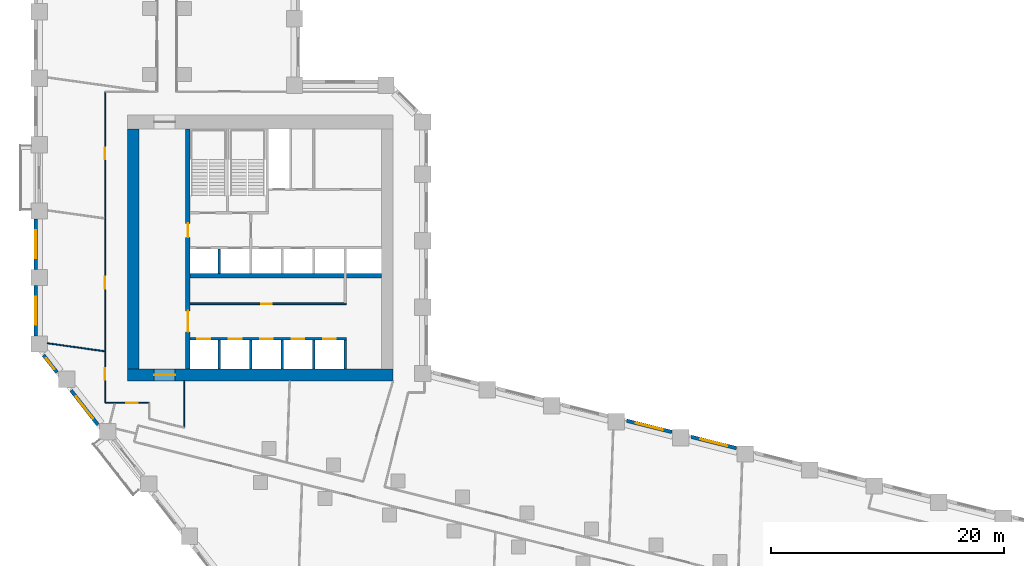
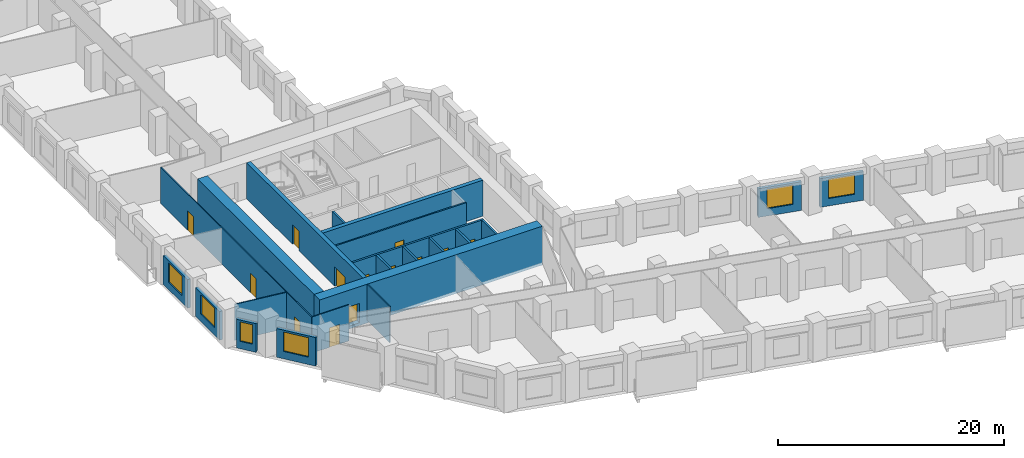
# One storey, part 4 of 11: 22 walls, 13 doors, 6 windows, 19 openings.
"""IFC4 building model written with IfcOpenShell, lengths in metres."""

from ifc_helpers import new_model, si_unit, direction, frame, frame_2d, origin, place, context, subcontext, project, spatial, rectangle, extrude, material, layer, layer_set, type_object, element, fill, save


model = new_model("IFC4")

# Units and contexts
model_context = context("Model", 3, precision=1e-05, world=origin(), true_north=direction((0.0, 1.0)))
body_context = subcontext(model_context, "Body", "Model", "MODEL_VIEW")
ifc_project = project(units=[si_unit("LENGTHUNIT", "METRE"), si_unit("AREAUNIT", "SQUARE_METRE"), si_unit("VOLUMEUNIT", "CUBIC_METRE"), si_unit("PLANEANGLEUNIT", "RADIAN"), si_unit("MASSUNIT", "GRAM", prefix="KILO")], contexts=[model_context])

# Site, building, storey
site_placement = place(None, origin())
site = spatial("IfcSite", under=ifc_project, at=site_placement, CompositionType="ELEMENT")
building_placement = place(site_placement, origin())
building = spatial("IfcBuilding", under=site, at=building_placement, Name="Meshkara Civic Tower", CompositionType="ELEMENT")
storey_placement = place(building_placement, frame((0.0, 0.0, 75.0)))
storey = spatial("IfcBuildingStorey", under=building, at=storey_placement, Name="L16", CompositionType="ELEMENT", Elevation=75.0)

# Wall, opening, door
ifc_material_1 = material(Name="Blockwork", Category="masonry")
ifc_layer_1 = layer(ifc_material_1, 0.14990234375)
ifc_layer_set_1 = layer_set([ifc_layer_1], Name="Core partition 150")
wall_type_1 = type_object("IfcWallType", Name="Core partition 150", PredefinedType="PARTITIONING", material=ifc_layer_set_1)
wall_1_placement = place(storey_placement, frame((13.39990234375, 20.699951171875, 0.0), z_axis=(0.0, 0.0, 1.0), x_axis=(1.0, 0.0, 0.0)))
wall_1 = element("IfcWall", 1, at=wall_1_placement, inside=storey, type_object=wall_type_1, Name="L16-C006", PredefinedType="PARTITIONING", context=body_context, shape_type="SweptSolid", body=[
    extrude(rectangle(XDim=13.400146484375, YDim=0.14990234375, at=frame_2d((6.7001953125, 0.0))), origin(), (0.0, 0.0, 1.0), 3.89990234375),
])
opening_1_placement = place(wall_1_placement, frame((6.10009765625, 0.0, 0.0)))
opening_1 = element("IfcOpeningElement", 2, at=opening_1_placement, cuts=wall_1, Name="Opening L16-K010", PredefinedType="OPENING", context=body_context, shape_type="SweptSolid", body=[
    extrude(rectangle(XDim=0.89990234375, YDim=2.10009765625, at=frame_2d((0.449951171875, 1.050048828125))), frame((0.0, 0.0849609375, 0.0), z_axis=(0.0, -1.0, 0.0), x_axis=(1.0, 0.0, 0.0)), (0.0, 0.0, 1.0), 0.169921875),
])
ifc_material_2 = material(Name="Timber door leaf in steel frame", Category="steel")
door_type_1 = type_object("IfcDoorType", Name="Core room door 900", OperationType="SINGLE_SWING_LEFT", PredefinedType="DOOR", material=ifc_material_2)
door_1_placement = place(opening_1_placement, origin())
door_1 = element("IfcDoor", 3, at=door_1_placement, inside=storey, type_object=door_type_1, Name="L16-K010", OperationType="SINGLE_SWING_RIGHT", OverallHeight=2.10009765625, OverallWidth=0.89990234375, PredefinedType="DOOR", context=body_context, shape_type="SweptSolid", body=[
    extrude(rectangle(XDim=0.89990234375, YDim=2.10009765625, at=frame_2d((0.449951171875, 1.050048828125))), frame((0.0, 0.02490234375, 0.0), z_axis=(0.0, -1.0, 0.0), x_axis=(1.0, 0.0, 0.0)), (0.0, 0.0, 1.0), 0.050048828125),
])
fill(opening_1, door_1)

ifc_material_3 = material(Name="Concrete C80", Category="concrete")
ifc_layer_2 = layer(ifc_material_3, 1.0)
ifc_layer_set_2 = layer_set([ifc_layer_2], Name="Core ring wall 1000 C80")
wall_type_2 = type_object("IfcWallType", Name="Core ring wall 1000 C80", PredefinedType="SHEAR", material=ifc_layer_set_2)
wall_2_placement = place(storey_placement, frame((8.0, 14.60009765625, -0.300048828125), z_axis=(0.0, 0.0, 1.0), x_axis=(1.0, 0.0, 0.0)))
wall_2 = element("IfcWall", 4, at=wall_2_placement, inside=storey, type_object=wall_type_2, Name="L16-C001", PredefinedType="SHEAR", context=body_context, shape_type="SweptSolid", body=[
    extrude(rectangle(XDim=22.800048828125, YDim=1.0, at=frame_2d((11.39990234375, 0.0))), origin(), (0.0, 0.0, 1.0), 4.199951171875),
])
opening_2_placement = place(wall_2_placement, frame((2.300048828125, 0.0, 0.300048828125)))
opening_2 = element("IfcOpeningElement", 5, at=opening_2_placement, cuts=wall_2, Name="Opening L16-K020", PredefinedType="OPENING", context=body_context, shape_type="SweptSolid", body=[
    extrude(rectangle(XDim=1.800048828125, YDim=2.10009765625, at=frame_2d((0.89990234375, 1.050048828125))), frame((0.0, 0.510009765625, 0.0), z_axis=(0.0, -1.0, 0.0), x_axis=(1.0, 0.0, 0.0)), (0.0, 0.0, 1.0), 1.02001953125),
])
ifc_material_4 = material(Name="Fire-rated door leaf in steel frame", Category="steel")
door_type_2 = type_object("IfcDoorType", Name="Core double door 1800 EI 60", OperationType="DOUBLE_DOOR_SINGLE_SWING", PredefinedType="DOOR", material=ifc_material_4)
door_2_placement = place(opening_2_placement, origin())
door_2 = element("IfcDoor", 6, at=door_2_placement, inside=storey, type_object=door_type_2, Name="L16-K020", OperationType="DOUBLE_DOOR_SINGLE_SWING", OverallHeight=2.10009765625, OverallWidth=1.800048828125, PredefinedType="DOOR", context=body_context, shape_type="SweptSolid", body=[
    extrude(rectangle(XDim=1.800048828125, YDim=2.10009765625, at=frame_2d((0.89990234375, 1.050048828125))), frame((0.0, 0.02490234375, 0.0), z_axis=(0.0, -1.0, 0.0), x_axis=(1.0, 0.0, 0.0)), (0.0, 0.0, 1.0), 0.050048828125),
])
fill(opening_2, door_2)

# Walls
wall_3_placement = place(storey_placement, frame((8.5, 15.10009765625, -0.300048828125), z_axis=(0.0, 0.0, 1.0), x_axis=(0.0, 1.0, 0.0)))
element("IfcWall", 7, at=wall_3_placement, inside=storey, type_object=wall_type_2, Name="L16-C003", PredefinedType="SHEAR", context=body_context, shape_type="SweptSolid", body=[
    extrude(rectangle(XDim=20.599853515625, YDim=1.0, at=frame_2d((10.2998046875, 0.0))), origin(), (0.0, 0.0, 1.0), 4.199951171875),
])
ifc_material_5 = material(Name="Concrete C80", Category="concrete")
ifc_layer_3 = layer(ifc_material_5, 0.39990234375)
ifc_layer_set_3 = layer_set([ifc_layer_3], Name="Core shear wall 400 C80")
wall_type_3 = type_object("IfcWallType", Name="Core shear wall 400 C80", PredefinedType="SHEAR", material=ifc_layer_set_3)
wall_4_placement = place(storey_placement, frame((13.39990234375, 23.10009765625, 0.0), z_axis=(0.0, 0.0, 1.0), x_axis=(1.0, 0.0, 0.0)))
element("IfcWall", 8, at=wall_4_placement, inside=storey, type_object=wall_type_3, Name="L16-C007", PredefinedType="SHEAR", context=body_context, shape_type="SweptSolid", body=[
    extrude(rectangle(XDim=16.400146484375, YDim=0.39990234375, at=frame_2d((8.2001953125, 0.0))), origin(), (0.0, 0.0, 1.0), 3.89990234375),
])

# Wall, openings, doors
wall_5_placement = place(storey_placement, frame((13.199951171875, 15.10009765625, 0.0), z_axis=(0.0, 0.0, 1.0), x_axis=(0.0, 1.0, 0.0)))
wall_5 = element("IfcWall", 9, at=wall_5_placement, inside=storey, type_object=wall_type_3, Name="L16-C011", PredefinedType="SHEAR", context=body_context, shape_type="SweptSolid", body=[
    extrude(rectangle(XDim=20.599853515625, YDim=0.39990234375, at=frame_2d((10.2998046875, 0.0))), origin(), (0.0, 0.0, 1.0), 3.89990234375),
])
opening_3_placement = place(wall_5_placement, frame((3.199951171875, 0.0, 0.0)))
opening_3 = element("IfcOpeningElement", 10, at=opening_3_placement, cuts=wall_5, Name="Opening L16-K016", PredefinedType="OPENING", context=body_context, shape_type="SweptSolid", body=[
    extrude(rectangle(XDim=1.800048828125, YDim=2.10009765625, at=frame_2d((0.89990234375, 1.050048828125))), frame((0.0, 0.2099609375, 0.0), z_axis=(0.0, -1.0, 0.0), x_axis=(1.0, 0.0, 0.0)), (0.0, 0.0, 1.0), 0.419921875),
])
opening_4_placement = place(wall_5_placement, frame((11.300048828125, 0.0, 0.0)))
opening_4 = element("IfcOpeningElement", 11, at=opening_4_placement, cuts=wall_5, Name="Opening L16-K017", PredefinedType="OPENING", context=body_context, shape_type="SweptSolid", body=[
    extrude(rectangle(XDim=1.199951171875, YDim=2.10009765625, at=frame_2d((0.60009765625, 1.050048828125))), frame((0.0, 0.2099609375, 0.0), z_axis=(0.0, -1.0, 0.0), x_axis=(1.0, 0.0, 0.0)), (0.0, 0.0, 1.0), 0.419921875),
])
door_3_placement = place(opening_3_placement, origin())
door_3 = element("IfcDoor", 12, at=door_3_placement, inside=storey, type_object=door_type_2, Name="L16-K016", OperationType="DOUBLE_DOOR_SINGLE_SWING", OverallHeight=2.10009765625, OverallWidth=1.800048828125, PredefinedType="DOOR", context=body_context, shape_type="SweptSolid", body=[
    extrude(rectangle(XDim=1.800048828125, YDim=2.10009765625, at=frame_2d((0.89990234375, 1.050048828125))), frame((0.0, 0.02490234375, 0.0), z_axis=(0.0, -1.0, 0.0), x_axis=(1.0, 0.0, 0.0)), (0.0, 0.0, 1.0), 0.050048828125),
])
fill(opening_3, door_3)
ifc_material_6 = material(Name="Fire-rated door leaf in steel frame", Category="steel")
door_type_3 = type_object("IfcDoorType", Name="Fire-fighting lobby door 1200 EI 120", OperationType="SINGLE_SWING_LEFT", PredefinedType="DOOR", material=ifc_material_6)
door_4_placement = place(opening_4_placement, origin())
door_4 = element("IfcDoor", 13, at=door_4_placement, inside=storey, type_object=door_type_3, Name="L16-K017", OperationType="SINGLE_SWING_LEFT", OverallHeight=2.10009765625, OverallWidth=1.199951171875, PredefinedType="DOOR", context=body_context, shape_type="SweptSolid", body=[
    extrude(rectangle(XDim=1.199951171875, YDim=2.10009765625, at=frame_2d((0.60009765625, 1.050048828125))), frame((0.0, 0.02490234375, 0.0), z_axis=(0.0, -1.0, 0.0), x_axis=(1.0, 0.0, 0.0)), (0.0, 0.0, 1.0), 0.050048828125),
])
fill(opening_4, door_4)

ifc_material_7 = material(Name="Corridor wall 100")
ifc_layer_4 = layer(ifc_material_7, 0.10009765625)
ifc_layer_set_4 = layer_set([ifc_layer_4], Name="Corridor wall 100")
wall_type_4 = type_object("IfcWallType", Name="Corridor wall 100", PredefinedType="PARTITIONING", material=ifc_layer_set_4)
wall_6_placement = place(storey_placement, frame((6.10009765625, 12.199951171875, 0.0), z_axis=(0.0, 0.0, 1.0), x_axis=(0.0, 1.0, 0.0)))
wall_6 = element("IfcWall", 14, at=wall_6_placement, inside=storey, type_object=wall_type_4, Name="L16-W004", PredefinedType="PARTITIONING", context=body_context, shape_type="SweptSolid", body=[
    extrude(rectangle(XDim=26.699951171875, YDim=0.10009765625, at=frame_2d((13.35009765625, 0.0))), origin(), (0.0, 0.0, 1.0), 3.89990234375),
])
opening_5_placement = place(wall_6_placement, frame((1.97998046875, 0.0, 0.0)))
opening_5 = element("IfcOpeningElement", 15, at=opening_5_placement, cuts=wall_6, Name="Opening L16-D016", PredefinedType="OPENING", context=body_context, shape_type="SweptSolid", body=[
    extrude(rectangle(XDim=1.0, YDim=2.10009765625, at=frame_2d((0.5, 1.050048828125))), frame((0.0, 0.06005859375, 0.0), z_axis=(0.0, -1.0, 0.0), x_axis=(1.0, 0.0, 0.0)), (0.0, 0.0, 1.0), 0.1201171875),
])
opening_6_placement = place(wall_6_placement, frame((9.802978515625, 0.0, 0.0)))
opening_6 = element("IfcOpeningElement", 16, at=opening_6_placement, cuts=wall_6, Name="Opening L16-D018", PredefinedType="OPENING", context=body_context, shape_type="SweptSolid", body=[
    extrude(rectangle(XDim=1.0, YDim=2.10009765625, at=frame_2d((0.5, 1.050048828125))), frame((0.0, 0.06005859375, 0.0), z_axis=(0.0, -1.0, 0.0), x_axis=(1.0, 0.0, 0.0)), (0.0, 0.0, 1.0), 0.1201171875),
])
opening_7_placement = place(wall_6_placement, frame((20.903076171875, 0.0, 0.0)))
opening_7 = element("IfcOpeningElement", 17, at=opening_7_placement, cuts=wall_6, Name="Opening L16-D019", PredefinedType="OPENING", context=body_context, shape_type="SweptSolid", body=[
    extrude(rectangle(XDim=1.0, YDim=2.10009765625, at=frame_2d((0.5, 1.050048828125))), frame((0.0, 0.06005859375, 0.0), z_axis=(0.0, -1.0, 0.0), x_axis=(1.0, 0.0, 0.0)), (0.0, 0.0, 1.0), 0.1201171875),
])
ifc_material_8 = material(Name="Door 1000 x 2100")
door_type_4 = type_object("IfcDoorType", Name="Door 1000 x 2100", OperationType="SINGLE_SWING_LEFT", PredefinedType="DOOR", material=ifc_material_8)
door_5_placement = place(opening_5_placement, origin())
door_5 = element("IfcDoor", 18, at=door_5_placement, inside=storey, type_object=door_type_4, Name="L16-D016", OperationType="SINGLE_SWING_RIGHT", OverallHeight=2.10009765625, OverallWidth=1.0, PredefinedType="DOOR", context=body_context, shape_type="SweptSolid", body=[
    extrude(rectangle(XDim=1.0, YDim=2.10009765625, at=frame_2d((0.5, 1.050048828125))), frame((0.0, 0.02490234375, 0.0), z_axis=(0.0, -1.0, 0.0), x_axis=(1.0, 0.0, 0.0)), (0.0, 0.0, 1.0), 0.050048828125),
])
fill(opening_5, door_5)
door_6_placement = place(opening_6_placement, origin())
door_6 = element("IfcDoor", 19, at=door_6_placement, inside=storey, type_object=door_type_4, Name="L16-D018", OperationType="SINGLE_SWING_RIGHT", OverallHeight=2.10009765625, OverallWidth=1.0, PredefinedType="DOOR", context=body_context, shape_type="SweptSolid", body=[
    extrude(rectangle(XDim=1.0, YDim=2.10009765625, at=frame_2d((0.5, 1.050048828125))), frame((0.0, 0.02490234375, 0.0), z_axis=(0.0, -1.0, 0.0), x_axis=(1.0, 0.0, 0.0)), (0.0, 0.0, 1.0), 0.050048828125),
])
fill(opening_6, door_6)
door_7_placement = place(opening_7_placement, origin())
door_7 = element("IfcDoor", 20, at=door_7_placement, inside=storey, type_object=door_type_4, Name="L16-D019", OperationType="SINGLE_SWING_RIGHT", OverallHeight=2.10009765625, OverallWidth=1.0, PredefinedType="DOOR", context=body_context, shape_type="SweptSolid", body=[
    extrude(rectangle(XDim=1.0, YDim=2.10009765625, at=frame_2d((0.5, 1.050048828125))), frame((0.0, 0.02490234375, 0.0), z_axis=(0.0, -1.0, 0.0), x_axis=(1.0, 0.0, 0.0)), (0.0, 0.0, 1.0), 0.050048828125),
])
fill(opening_7, door_7)

# Wall, opening, door
wall_7_placement = place(storey_placement, frame((6.10009765625, 12.199951171875, 0.0), z_axis=(0.0, 0.0, 1.0), x_axis=(1.0, 0.0, 0.0)))
wall_7 = element("IfcWall", 21, at=wall_7_placement, inside=storey, type_object=wall_type_4, Name="L16-W005", PredefinedType="PARTITIONING", context=body_context, shape_type="SweptSolid", body=[
    extrude(rectangle(XDim=3.7998046875, YDim=0.10009765625, at=frame_2d((1.89990234375, 0.0))), origin(), (0.0, 0.0, 1.0), 3.89990234375),
])
opening_8_placement = place(wall_7_placement, frame((1.802001953125, 0.0, 0.0)))
opening_8 = element("IfcOpeningElement", 22, at=opening_8_placement, cuts=wall_7, Name="Opening L16-D017", PredefinedType="OPENING", context=body_context, shape_type="SweptSolid", body=[
    extrude(rectangle(XDim=1.0, YDim=2.10009765625, at=frame_2d((0.5, 1.050048828125))), frame((0.0, 0.06005859375, 0.0), z_axis=(0.0, -1.0, 0.0), x_axis=(1.0, 0.0, 0.0)), (0.0, 0.0, 1.0), 0.1201171875),
])
door_8_placement = place(opening_8_placement, origin())
door_8 = element("IfcDoor", 23, at=door_8_placement, inside=storey, type_object=door_type_4, Name="L16-D017", OperationType="SINGLE_SWING_RIGHT", OverallHeight=2.10009765625, OverallWidth=1.0, PredefinedType="DOOR", context=body_context, shape_type="SweptSolid", body=[
    extrude(rectangle(XDim=1.0, YDim=2.10009765625, at=frame_2d((0.5, 1.050048828125))), frame((0.0, 0.02490234375, 0.0), z_axis=(0.0, -1.0, 0.0), x_axis=(1.0, 0.0, 0.0)), (0.0, 0.0, 1.0), 0.050048828125),
])
fill(opening_8, door_8)

# Wall
wall_8_placement = place(storey_placement, frame((12.89990234375, 10.077880859375, 0.0), z_axis=(0.0, 0.0, 1.0), x_axis=(0.0, 1.0, 0.0)))
element("IfcWall", 24, at=wall_8_placement, inside=storey, type_object=wall_type_4, Name="L16-W014", PredefinedType="PARTITIONING", context=body_context, shape_type="SweptSolid", body=[
    extrude(rectangle(XDim=4.022216796875, YDim=0.10009765625, at=frame_2d((2.01123046875, 0.0))), origin(), (0.0, 0.0, 1.0), 3.89990234375),
])

# Wall, opening, window
ifc_material_9 = material(Name="Insulated infill panel with bronze anodised aluminium cladding", Category="aluminium")
ifc_layer_5 = layer(ifc_material_9, 0.300048828125)
ifc_layer_set_5 = layer_set([ifc_layer_5], Name="EXTERNAL INFILL WALL 300")
wall_type_5 = type_object("IfcWallType", Name="EXTERNAL INFILL WALL 300", PredefinedType="SOLIDWALL", material=ifc_layer_set_5)
wall_9_placement = place(storey_placement, frame((60.251953125, 8.321044921875, 0.0), z_axis=(0.0, 0.0, 1.0), x_axis=(-0.970303772127, 0.241889623168, 0.0)))
wall_9 = element("IfcWall", 25, at=wall_9_placement, inside=storey, type_object=wall_type_5, Name="External wall", PredefinedType="SOLIDWALL", context=body_context, shape_type="SweptSolid", body=[
    extrude(rectangle(XDim=4.001953125, YDim=0.300048828125, at=frame_2d((2.0009765625, 0.0))), origin(), (0.0, 0.0, 1.0), 3.10009765625),
])
opening_9_placement = place(wall_9_placement, frame((0.801025390625, 0.0, 0.800048828125)))
opening_9 = element("IfcOpeningElement", 26, at=opening_9_placement, cuts=wall_9, Name="Opening W7", PredefinedType="OPENING", context=body_context, shape_type="SweptSolid", body=[
    extrude(rectangle(XDim=2.39990234375, YDim=2.10009765625, at=frame_2d((1.199951171875, 1.050048828125))), frame((0.0, 0.159912109375, 0.0), z_axis=(0.0, -1.0, 0.0), x_axis=(1.0, 0.0, 0.0)), (0.0, 0.0, 1.0), 0.320068359375),
])
ifc_material_10 = material(Name="Tinted double glazing", Category="glass")
window_type_1 = type_object("IfcWindowType", Name="WINDOW 2400x2100", PartitioningType="DOUBLE_PANEL_VERTICAL", PredefinedType="WINDOW", material=ifc_material_10)
window_1_placement = place(opening_9_placement, origin())
window_1 = element("IfcWindow", 27, at=window_1_placement, inside=storey, type_object=window_type_1, Name="Window", OverallHeight=2.10009765625, OverallWidth=2.39990234375, PartitioningType="DOUBLE_PANEL_VERTICAL", PredefinedType="WINDOW", context=body_context, shape_type="SweptSolid", body=[
    extrude(rectangle(XDim=2.39990234375, YDim=2.10009765625, at=frame_2d((1.199951171875, 1.050048828125))), frame((0.0, 0.030029296875, 0.0), z_axis=(0.0, -1.0, 0.0), x_axis=(1.0, 0.0, 0.0)), (0.0, 0.0, 1.0), 0.06005859375),
])
fill(opening_9, window_1)

wall_10_placement = place(storey_placement, frame((54.721923828125, 9.699951171875, 0.0), z_axis=(0.0, 0.0, 1.0), x_axis=(-0.970318045095, 0.24183236211, 0.0)))
wall_10 = element("IfcWall", 28, at=wall_10_placement, inside=storey, type_object=wall_type_5, Name="External wall", PredefinedType="SOLIDWALL", context=body_context, shape_type="SweptSolid", body=[
    extrude(rectangle(XDim=4.0029296875, YDim=0.300048828125, at=frame_2d((2.00146484375, 0.0))), origin(), (0.0, 0.0, 1.0), 3.10009765625),
])
opening_10_placement = place(wall_10_placement, frame((0.802001953125, 0.0, 0.800048828125)))
opening_10 = element("IfcOpeningElement", 29, at=opening_10_placement, cuts=wall_10, Name="Opening W7", PredefinedType="OPENING", context=body_context, shape_type="SweptSolid", body=[
    extrude(rectangle(XDim=2.39990234375, YDim=2.10009765625, at=frame_2d((1.199951171875, 1.050048828125))), frame((0.0, 0.159912109375, 0.0), z_axis=(0.0, -1.0, 0.0), x_axis=(1.0, 0.0, 0.0)), (0.0, 0.0, 1.0), 0.320068359375),
])
window_2_placement = place(opening_10_placement, origin())
window_2 = element("IfcWindow", 30, at=window_2_placement, inside=storey, type_object=window_type_1, Name="Window", OverallHeight=2.10009765625, OverallWidth=2.39990234375, PartitioningType="DOUBLE_PANEL_VERTICAL", PredefinedType="WINDOW", context=body_context, shape_type="SweptSolid", body=[
    extrude(rectangle(XDim=2.39990234375, YDim=2.10009765625, at=frame_2d((1.199951171875, 1.050048828125))), frame((0.0, 0.030029296875, 0.0), z_axis=(0.0, -1.0, 0.0), x_axis=(1.0, 0.0, 0.0)), (0.0, 0.0, 1.0), 0.06005859375),
])
fill(opening_10, window_2)

wall_11_placement = place(storey_placement, frame((0.14990234375, 27.955078125, 0.0), z_axis=(0.0, 0.0, 1.0), x_axis=(0.0, -1.0, 0.0)))
wall_11 = element("IfcWall", 31, at=wall_11_placement, inside=storey, type_object=wall_type_5, Name="External wall", PredefinedType="SOLIDWALL", context=body_context, shape_type="SweptSolid", body=[
    extrude(rectangle(XDim=4.300048828125, YDim=0.300048828125, at=frame_2d((2.14990234375, 0.0))), origin(), (0.0, 0.0, 1.0), 3.10009765625),
])
opening_11_placement = place(wall_11_placement, frame((0.949951171875, 0.0, 0.800048828125)))
opening_11 = element("IfcOpeningElement", 32, at=opening_11_placement, cuts=wall_11, Name="Opening W7", PredefinedType="OPENING", context=body_context, shape_type="SweptSolid", body=[
    extrude(rectangle(XDim=2.39990234375, YDim=2.10009765625, at=frame_2d((1.199951171875, 1.050048828125))), frame((0.0, 0.159912109375, 0.0), z_axis=(0.0, -1.0, 0.0), x_axis=(1.0, 0.0, 0.0)), (0.0, 0.0, 1.0), 0.320068359375),
])
window_3_placement = place(opening_11_placement, origin())
window_3 = element("IfcWindow", 33, at=window_3_placement, inside=storey, type_object=window_type_1, Name="Window", OverallHeight=2.10009765625, OverallWidth=2.39990234375, PartitioningType="DOUBLE_PANEL_VERTICAL", PredefinedType="WINDOW", context=body_context, shape_type="SweptSolid", body=[
    extrude(rectangle(XDim=2.39990234375, YDim=2.10009765625, at=frame_2d((1.199951171875, 1.050048828125))), frame((0.0, 0.030029296875, 0.0), z_axis=(0.0, -1.0, 0.0), x_axis=(1.0, 0.0, 0.0)), (0.0, 0.0, 1.0), 0.06005859375),
])
fill(opening_11, window_3)

wall_12_placement = place(storey_placement, frame((0.14990234375, 22.2548828125, 0.0), z_axis=(0.0, 0.0, 1.0), x_axis=(0.0, -1.0, 0.0)))
wall_12 = element("IfcWall", 34, at=wall_12_placement, inside=storey, type_object=wall_type_5, Name="External wall", PredefinedType="SOLIDWALL", context=body_context, shape_type="SweptSolid", body=[
    extrude(rectangle(XDim=4.2998046875, YDim=0.300048828125, at=frame_2d((2.14990234375, 0.0))), origin(), (0.0, 0.0, 1.0), 3.10009765625),
])
opening_12_placement = place(wall_12_placement, frame((0.949951171875, 0.0, 0.800048828125)))
opening_12 = element("IfcOpeningElement", 35, at=opening_12_placement, cuts=wall_12, Name="Opening W7", PredefinedType="OPENING", context=body_context, shape_type="SweptSolid", body=[
    extrude(rectangle(XDim=2.39990234375, YDim=2.10009765625, at=frame_2d((1.199951171875, 1.050048828125))), frame((0.0, 0.159912109375, 0.0), z_axis=(0.0, -1.0, 0.0), x_axis=(1.0, 0.0, 0.0)), (0.0, 0.0, 1.0), 0.320068359375),
])
window_4_placement = place(opening_12_placement, origin())
window_4 = element("IfcWindow", 36, at=window_4_placement, inside=storey, type_object=window_type_1, Name="Window", OverallHeight=2.10009765625, OverallWidth=2.39990234375, PartitioningType="DOUBLE_PANEL_VERTICAL", PredefinedType="WINDOW", context=body_context, shape_type="SweptSolid", body=[
    extrude(rectangle(XDim=2.39990234375, YDim=2.10009765625, at=frame_2d((1.199951171875, 1.050048828125))), frame((0.0, 0.030029296875, 0.0), z_axis=(0.0, -1.0, 0.0), x_axis=(1.0, 0.0, 0.0)), (0.0, 0.0, 1.0), 0.06005859375),
])
fill(opening_12, window_4)

wall_13_placement = place(storey_placement, frame((0.818115234375, 16.2958984375, 0.0), z_axis=(0.0, 0.0, 1.0), x_axis=(0.615985155343, -0.787757759973, 0.0)))
wall_13 = element("IfcWall", 37, at=wall_13_placement, inside=storey, type_object=wall_type_5, Name="External wall", PredefinedType="SOLIDWALL", context=body_context, shape_type="SweptSolid", body=[
    extrude(rectangle(XDim=1.874755859375, YDim=0.300048828125, at=frame_2d((0.9375, 0.0))), origin(), (0.0, 0.0, 1.0), 3.10009765625),
])
opening_13_placement = place(wall_13_placement, frame((0.3369140625, 0.0, 0.800048828125)))
opening_13 = element("IfcOpeningElement", 38, at=opening_13_placement, cuts=wall_13, Name="Opening W3", PredefinedType="OPENING", context=body_context, shape_type="SweptSolid", body=[
    extrude(rectangle(XDim=1.199951171875, YDim=2.10009765625, at=frame_2d((0.60009765625, 1.050048828125))), frame((0.0, 0.159912109375, 0.0), z_axis=(0.0, -1.0, 0.0), x_axis=(1.0, 0.0, 0.0)), (0.0, 0.0, 1.0), 0.320068359375),
])
ifc_material_11 = material(Name="Tinted double glazing", Category="glass")
window_type_2 = type_object("IfcWindowType", Name="WINDOW 1200x2100", PartitioningType="SINGLE_PANEL", PredefinedType="WINDOW", material=ifc_material_11)
window_5_placement = place(opening_13_placement, origin())
window_5 = element("IfcWindow", 39, at=window_5_placement, inside=storey, type_object=window_type_2, Name="Window", OverallHeight=2.10009765625, OverallWidth=1.199951171875, PartitioningType="SINGLE_PANEL", PredefinedType="WINDOW", context=body_context, shape_type="SweptSolid", body=[
    extrude(rectangle(XDim=1.199951171875, YDim=2.10009765625, at=frame_2d((0.60009765625, 1.050048828125))), frame((0.0, 0.030029296875, 0.0), z_axis=(0.0, -1.0, 0.0), x_axis=(1.0, 0.0, 0.0)), (0.0, 0.0, 1.0), 0.06005859375),
])
fill(opening_13, window_5)

wall_14_placement = place(storey_placement, frame((3.18310546875, 13.27001953125, 0.0), z_axis=(0.0, 0.0, 1.0), x_axis=(0.615564114897, -0.788086810225, 0.0)))
wall_14 = element("IfcWall", 40, at=wall_14_placement, inside=storey, type_object=wall_type_5, Name="External wall", PredefinedType="SOLIDWALL", context=body_context, shape_type="SweptSolid", body=[
    extrude(rectangle(XDim=3.734619140625, YDim=0.300048828125, at=frame_2d((1.8671875, 0.0))), origin(), (0.0, 0.0, 1.0), 3.10009765625),
])
opening_14_placement = place(wall_14_placement, frame((0.6669921875, 0.0, 0.800048828125)))
opening_14 = element("IfcOpeningElement", 41, at=opening_14_placement, cuts=wall_14, Name="Opening W7", PredefinedType="OPENING", context=body_context, shape_type="SweptSolid", body=[
    extrude(rectangle(XDim=2.39990234375, YDim=2.10009765625, at=frame_2d((1.199951171875, 1.050048828125))), frame((0.0, 0.159912109375, 0.0), z_axis=(0.0, -1.0, 0.0), x_axis=(1.0, 0.0, 0.0)), (0.0, 0.0, 1.0), 0.320068359375),
])
window_6_placement = place(opening_14_placement, origin())
window_6 = element("IfcWindow", 42, at=window_6_placement, inside=storey, type_object=window_type_1, Name="Window", OverallHeight=2.10009765625, OverallWidth=2.39990234375, PartitioningType="DOUBLE_PANEL_VERTICAL", PredefinedType="WINDOW", context=body_context, shape_type="SweptSolid", body=[
    extrude(rectangle(XDim=2.39990234375, YDim=2.10009765625, at=frame_2d((1.199951171875, 1.050048828125))), frame((0.0, 0.030029296875, 0.0), z_axis=(0.0, -1.0, 0.0), x_axis=(1.0, 0.0, 0.0)), (0.0, 0.0, 1.0), 0.06005859375),
])
fill(opening_14, window_6)

# Wall
ifc_material_12 = material(Name="Partition 100")
ifc_layer_6 = layer(ifc_material_12, 0.10009765625)
ifc_layer_set_6 = layer_set([ifc_layer_6], Name="Partition 100")
wall_type_6 = type_object("IfcWallType", Name="Partition 100", PredefinedType="PARTITIONING", material=ifc_layer_set_6)
wall_15_placement = place(storey_placement, frame((6.04296875, 16.631103515625, 0.0), z_axis=(0.0, 0.0, 1.0), x_axis=(-0.990259346599, 0.139235148125, 0.0)))
element("IfcWall", 43, at=wall_15_placement, inside=storey, type_object=wall_type_6, Name="L16-W035", PredefinedType="PARTITIONING", context=body_context, shape_type="SweptSolid", body=[
    extrude(rectangle(XDim=4.941162109375, YDim=0.10009765625, at=frame_2d((2.470703125, 0.0))), origin(), (0.0, 0.0, 1.0), 3.89990234375),
])

# Wall, openings, doors
ifc_material_13 = material(Name="Concrete C40/50", Category="concrete")
ifc_layer_7 = layer(ifc_material_13, 0.199951171875)
ifc_layer_set_7 = layer_set([ifc_layer_7], Name="Shaft wall 200 C40/50")
wall_type_7 = type_object("IfcWallType", Name="Shaft wall 200 C40/50", PredefinedType="SOLIDWALL", material=ifc_layer_set_7)
wall_16_placement = place(storey_placement, frame((13.39990234375, 17.699951171875, 0.0), z_axis=(0.0, 0.0, 1.0), x_axis=(1.0, 0.0, 0.0)))
wall_16 = element("IfcWall", 44, at=wall_16_placement, inside=storey, type_object=wall_type_7, Name="L16-C005", PredefinedType="SOLIDWALL", context=body_context, shape_type="SweptSolid", body=[
    extrude(rectangle(XDim=13.400146484375, YDim=0.199951171875, at=frame_2d((6.7001953125, 0.0))), origin(), (0.0, 0.0, 1.0), 3.89990234375),
])
opening_15_placement = place(wall_16_placement, frame((0.60009765625, 0.0, 0.0)))
opening_15 = element("IfcOpeningElement", 45, at=opening_15_placement, cuts=wall_16, Name="Opening L16-K001", PredefinedType="OPENING", context=body_context, shape_type="SweptSolid", body=[
    extrude(rectangle(XDim=1.10009765625, YDim=2.10009765625, at=frame_2d((0.550048828125, 1.050048828125))), frame((0.0, 0.10986328125, 0.0), z_axis=(0.0, -1.0, 0.0), x_axis=(1.0, 0.0, 0.0)), (0.0, 0.0, 1.0), 0.219970703125),
])
opening_16_placement = place(wall_16_placement, frame((3.300048828125, 0.0, 0.0)))
opening_16 = element("IfcOpeningElement", 46, at=opening_16_placement, cuts=wall_16, Name="Opening L16-K002", PredefinedType="OPENING", context=body_context, shape_type="SweptSolid", body=[
    extrude(rectangle(XDim=1.10009765625, YDim=2.10009765625, at=frame_2d((0.550048828125, 1.050048828125))), frame((0.0, 0.10986328125, 0.0), z_axis=(0.0, -1.0, 0.0), x_axis=(1.0, 0.0, 0.0)), (0.0, 0.0, 1.0), 0.219970703125),
])
opening_17_placement = place(wall_16_placement, frame((6.0, 0.0, 0.0)))
opening_17 = element("IfcOpeningElement", 47, at=opening_17_placement, cuts=wall_16, Name="Opening L16-K003", PredefinedType="OPENING", context=body_context, shape_type="SweptSolid", body=[
    extrude(rectangle(XDim=1.10009765625, YDim=2.10009765625, at=frame_2d((0.550048828125, 1.050048828125))), frame((0.0, 0.10986328125, 0.0), z_axis=(0.0, -1.0, 0.0), x_axis=(1.0, 0.0, 0.0)), (0.0, 0.0, 1.0), 0.219970703125),
])
opening_18_placement = place(wall_16_placement, frame((8.699951171875, 0.0, 0.0)))
opening_18 = element("IfcOpeningElement", 48, at=opening_18_placement, cuts=wall_16, Name="Opening L16-K004", PredefinedType="OPENING", context=body_context, shape_type="SweptSolid", body=[
    extrude(rectangle(XDim=1.10009765625, YDim=2.10009765625, at=frame_2d((0.550048828125, 1.050048828125))), frame((0.0, 0.10986328125, 0.0), z_axis=(0.0, -1.0, 0.0), x_axis=(1.0, 0.0, 0.0)), (0.0, 0.0, 1.0), 0.219970703125),
])
opening_19_placement = place(wall_16_placement, frame((11.39990234375, 0.0, 0.0)))
opening_19 = element("IfcOpeningElement", 49, at=opening_19_placement, cuts=wall_16, Name="Opening L16-K005", PredefinedType="OPENING", context=body_context, shape_type="SweptSolid", body=[
    extrude(rectangle(XDim=1.10009765625, YDim=2.10009765625, at=frame_2d((0.550048828125, 1.050048828125))), frame((0.0, 0.10986328125, 0.0), z_axis=(0.0, -1.0, 0.0), x_axis=(1.0, 0.0, 0.0)), (0.0, 0.0, 1.0), 0.219970703125),
])
ifc_material_14 = material(Name="Stainless steel landing door", Category="steel")
door_type_5 = type_object("IfcDoorType", Name="Lift landing door 1100", OperationType="SLIDING_TO_LEFT", PredefinedType="DOOR", material=ifc_material_14)
door_9_placement = place(opening_15_placement, origin())
door_9 = element("IfcDoor", 50, at=door_9_placement, inside=storey, type_object=door_type_5, Name="L16-K001", OperationType="SLIDING_TO_LEFT", OverallHeight=2.10009765625, OverallWidth=1.10009765625, PredefinedType="DOOR", context=body_context, shape_type="SweptSolid", body=[
    extrude(rectangle(XDim=1.10009765625, YDim=2.10009765625, at=frame_2d((0.550048828125, 1.050048828125))), frame((0.0, 0.02490234375, 0.0), z_axis=(0.0, -1.0, 0.0), x_axis=(1.0, 0.0, 0.0)), (0.0, 0.0, 1.0), 0.050048828125),
])
fill(opening_15, door_9)
door_10_placement = place(opening_16_placement, origin())
door_10 = element("IfcDoor", 51, at=door_10_placement, inside=storey, type_object=door_type_5, Name="L16-K002", OperationType="SLIDING_TO_LEFT", OverallHeight=2.10009765625, OverallWidth=1.10009765625, PredefinedType="DOOR", context=body_context, shape_type="SweptSolid", body=[
    extrude(rectangle(XDim=1.10009765625, YDim=2.10009765625, at=frame_2d((0.550048828125, 1.050048828125))), frame((0.0, 0.02490234375, 0.0), z_axis=(0.0, -1.0, 0.0), x_axis=(1.0, 0.0, 0.0)), (0.0, 0.0, 1.0), 0.050048828125),
])
fill(opening_16, door_10)
door_11_placement = place(opening_17_placement, origin())
door_11 = element("IfcDoor", 52, at=door_11_placement, inside=storey, type_object=door_type_5, Name="L16-K003", OperationType="SLIDING_TO_LEFT", OverallHeight=2.10009765625, OverallWidth=1.10009765625, PredefinedType="DOOR", context=body_context, shape_type="SweptSolid", body=[
    extrude(rectangle(XDim=1.10009765625, YDim=2.10009765625, at=frame_2d((0.550048828125, 1.050048828125))), frame((0.0, 0.02490234375, 0.0), z_axis=(0.0, -1.0, 0.0), x_axis=(1.0, 0.0, 0.0)), (0.0, 0.0, 1.0), 0.050048828125),
])
fill(opening_17, door_11)
door_12_placement = place(opening_18_placement, origin())
door_12 = element("IfcDoor", 53, at=door_12_placement, inside=storey, type_object=door_type_5, Name="L16-K004", OperationType="SLIDING_TO_LEFT", OverallHeight=2.10009765625, OverallWidth=1.10009765625, PredefinedType="DOOR", context=body_context, shape_type="SweptSolid", body=[
    extrude(rectangle(XDim=1.10009765625, YDim=2.10009765625, at=frame_2d((0.550048828125, 1.050048828125))), frame((0.0, 0.02490234375, 0.0), z_axis=(0.0, -1.0, 0.0), x_axis=(1.0, 0.0, 0.0)), (0.0, 0.0, 1.0), 0.050048828125),
])
fill(opening_18, door_12)
door_13_placement = place(opening_19_placement, origin())
door_13 = element("IfcDoor", 54, at=door_13_placement, inside=storey, type_object=door_type_5, Name="L16-K005", OperationType="SLIDING_TO_LEFT", OverallHeight=2.10009765625, OverallWidth=1.10009765625, PredefinedType="DOOR", context=body_context, shape_type="SweptSolid", body=[
    extrude(rectangle(XDim=1.10009765625, YDim=2.10009765625, at=frame_2d((0.550048828125, 1.050048828125))), frame((0.0, 0.02490234375, 0.0), z_axis=(0.0, -1.0, 0.0), x_axis=(1.0, 0.0, 0.0)), (0.0, 0.0, 1.0), 0.050048828125),
])
fill(opening_19, door_13)

# Walls
wall_17_placement = place(storey_placement, frame((15.89990234375, 15.10009765625, 0.0), z_axis=(0.0, 0.0, 1.0), x_axis=(0.0, 1.0, 0.0)))
element("IfcWall", 55, at=wall_17_placement, inside=storey, type_object=wall_type_7, Name="L16-C012", PredefinedType="SOLIDWALL", context=body_context, shape_type="SweptSolid", body=[
    extrude(rectangle(XDim=2.5, YDim=0.199951171875, at=frame_2d((1.25, 0.0))), origin(), (0.0, 0.0, 1.0), 3.89990234375),
])
wall_18_placement = place(storey_placement, frame((15.89990234375, 23.300048828125, 0.0), z_axis=(0.0, 0.0, 1.0), x_axis=(0.0, 1.0, 0.0)))
element("IfcWall", 56, at=wall_18_placement, inside=storey, type_object=wall_type_7, Name="L16-C013", PredefinedType="SOLIDWALL", context=body_context, shape_type="SweptSolid", body=[
    extrude(rectangle(XDim=2.099853515625, YDim=0.199951171875, at=frame_2d((1.0498046875, 0.0))), origin(), (0.0, 0.0, 1.0), 3.89990234375),
])
for number, where, z_axis, x_axis, name in (
    (57, (18.60009765625, 15.10009765625, 0.0), (0.0, 0.0, 1.0), (0.0, 1.0, 0.0), "L16-C015"),
    (58, (21.300048828125, 15.10009765625, 0.0), (0.0, 0.0, 1.0), (0.0, 1.0, 0.0), "L16-C018"),
    (59, (24.0, 15.10009765625, 0.0), (0.0, 0.0, 1.0), (0.0, 1.0, 0.0), "L16-C021"),
    (60, (26.699951171875, 15.10009765625, 0.0), (0.0, 0.0, 1.0), (0.0, 1.0, 0.0), "L16-C024"),
):
    element("IfcWall", number, at=place(storey_placement, frame(where, z_axis=z_axis, x_axis=x_axis)), inside=storey, type_object=wall_type_7, Name=name, PredefinedType="SOLIDWALL", context=body_context, shape_type="SweptSolid", body=[
        extrude(rectangle(XDim=2.5, YDim=0.199951171875, at=frame_2d((1.25, 0.0))), origin(), (0.0, 0.0, 1.0), 3.89990234375),
    ])

save(model, "model.ifc")
